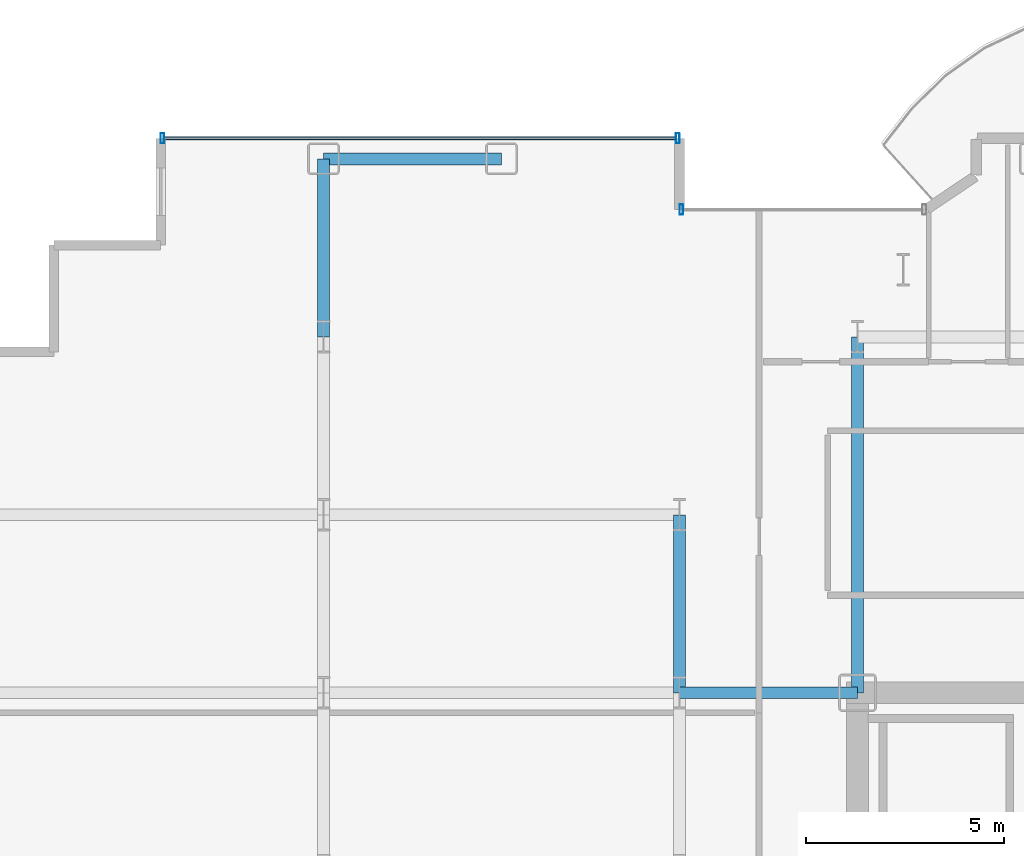
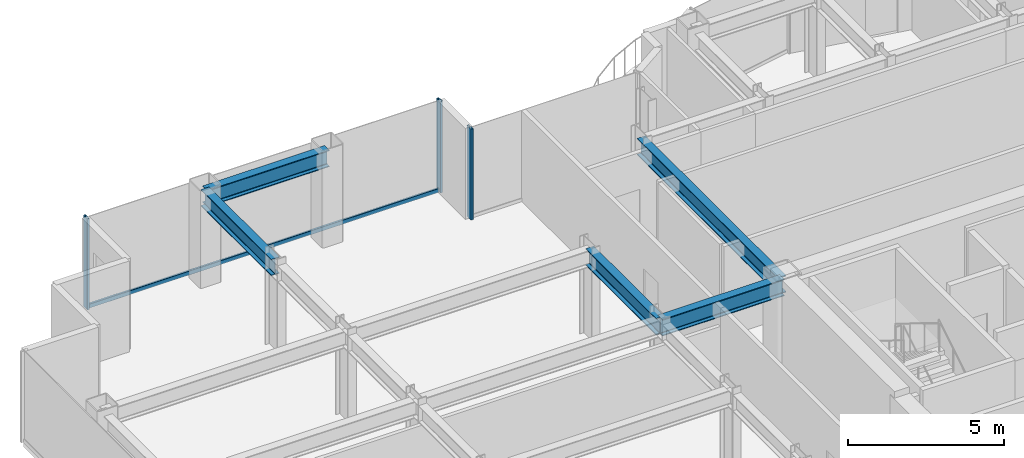
# One storey, part 13 of 26: 5 beams, 4 members, 2 elements without a shape of their own.
"""IFC4 building model written with IfcOpenShell, lengths in metres."""

from ifc_helpers import new_model, si_unit, direction, frame, origin, origin_2d, place, context, subcontext, project, spatial, hollow_rectangle, i_section, extrude, source, transform, mapped, material, layer, layer_set, material_profile, profile_set, type_object, element, aggregate, save


model = new_model("IFC4")

# Units and contexts
model_context = context("Model", 3, precision=1e-05, world=origin(), true_north=direction((0.0, 1.0)))
body_context = subcontext(model_context, "Body", "Model", "MODEL_VIEW")
ifc_project = project(units=[si_unit("LENGTHUNIT", "METRE"), si_unit("AREAUNIT", "SQUARE_METRE"), si_unit("VOLUMEUNIT", "CUBIC_METRE"), si_unit("PLANEANGLEUNIT", "RADIAN"), si_unit("MASSUNIT", "GRAM", prefix="KILO")], contexts=[model_context])

# Site, building, storey
site_placement = place(None, origin())
site = spatial("IfcSite", under=ifc_project, at=site_placement, CompositionType="ELEMENT")
building_placement = place(site_placement, origin())
building = spatial("IfcBuilding", under=site, at=building_placement, Name="Nefas-Gora Pilgrimage Tower", CompositionType="ELEMENT")
storey_placement = place(building_placement, frame((0.0, 0.0, 171.60009765625)))
storey = spatial("IfcBuildingStorey", under=building, at=storey_placement, Name="L42", CompositionType="ELEMENT", Elevation=171.60009765625)

# Beams
ifc_material_1 = material(Name="Steel S355", Category="steel")
ifc_material_profile_1 = material_profile(ifc_material_1, i_section(OverallWidth=0.300048828125, OverallDepth=0.64990234375, WebThickness=0.01611328125, FlangeThickness=0.031005859375, FilletRadius=0.027099609375, at=origin_2d()), Name="HEB 650")
ifc_profile_set_1 = profile_set([ifc_material_profile_1], Name="Steel S355")
beam_type_1 = type_object("IfcBeamType", Name="BM-SPN-HEB500", PredefinedType="SPANDREL", material=ifc_profile_set_1)
shared_shape_1 = source(origin(), body_context, "Body", "SweptSolid", [
    extrude(i_section(OverallWidth=0.300048828125, OverallDepth=0.64990234375, WebThickness=0.01611328125, FlangeThickness=0.031005859375, FilletRadius=0.027099609375, at=origin_2d()), origin(), (0.0, 0.0, 1.0), 4.5),
])
beam_1_placement = place(storey_placement, frame((-24.75, 22.5, 3.224853515625), z_axis=(1.0, 0.0, 0.0), x_axis=(0.0, 1.0, 0.0)))
element("IfcBeam", 1, at=beam_1_placement, inside=storey, type_object=beam_type_1, Name="L42 SP-02 beam", PredefinedType="SPANDREL", context=body_context, shape_type="MappedRepresentation", body=[
    mapped(shared_shape_1, transform((0.0, 0.0, 0.0), x_axis=(1.0, 0.0, 0.0), y_axis=(0.0, 1.0, 0.0), z_axis=(0.0, 0.0, 1.0), scale=1.0)),
])
ifc_material_profile_2 = material_profile(ifc_material_1, i_section(OverallWidth=0.300048828125, OverallDepth=0.64990234375, WebThickness=0.01611328125, FlangeThickness=0.031005859375, FilletRadius=0.027099609375, at=origin_2d()), Name="HEB 650")
ifc_profile_set_2 = profile_set([ifc_material_profile_2], Name="Steel S355")
beam_type_2 = type_object("IfcBeamType", Name="BM-GIR-HEB650", PredefinedType="BEAM", material=ifc_profile_set_2)
shared_shape_2 = source(origin(), body_context, "Body", "SweptSolid", [
    extrude(i_section(OverallWidth=0.300048828125, OverallDepth=0.64990234375, WebThickness=0.01611328125, FlangeThickness=0.031005859375, FilletRadius=0.027099609375, at=origin_2d()), origin(), (0.0, 0.0, 1.0), 9.0),
])
beam_2_placement = place(storey_placement, frame((-11.25, 9.0, 3.224853515625), z_axis=(0.0, 1.0, 0.0), x_axis=(-1.0, 0.0, 0.0)))
element("IfcBeam", 2, at=beam_2_placement, inside=storey, type_object=beam_type_2, Name="L42 G-03 beam", PredefinedType="BEAM", context=body_context, shape_type="MappedRepresentation", body=[
    mapped(shared_shape_2, transform((0.0, 0.0, 0.0), x_axis=(1.0, 0.0, 0.0), y_axis=(0.0, 1.0, 0.0), z_axis=(0.0, 0.0, 1.0), scale=1.0)),
])
shared_shape_3 = source(origin(), body_context, "Body", "SweptSolid", [
    extrude(i_section(OverallWidth=0.300048828125, OverallDepth=0.64990234375, WebThickness=0.01611328125, FlangeThickness=0.031005859375, FilletRadius=0.027099609375, at=origin_2d()), origin(), (0.0, 0.0, 1.0), 4.5),
])
for number, where, z_axis, x_axis, name in (
    (3, (-24.75, 18.0, 3.224853515625), (0.0, 1.0, 0.0), (-1.0, 0.0, 0.0), "L42 G-03 beam"),
    (4, (-15.75, 9.0, 3.224853515625), (0.0, 1.0, 0.0), (-1.0, 0.0, 0.0), "L42 G-03 beam"),
    (5, (-15.75, 9.0, 3.224853515625), (1.0, 0.0, 0.0), (0.0, 1.0, 0.0), "L42 G-03 beam"),
):
    element("IfcBeam", number, at=place(storey_placement, frame(where, z_axis=z_axis, x_axis=x_axis)), inside=storey, type_object=beam_type_2, Name=name, PredefinedType="BEAM", context=body_context, shape_type="MappedRepresentation", body=[
        mapped(shared_shape_3, transform((0.0, 0.0, 0.0), x_axis=(1.0, 0.0, 0.0), y_axis=(0.0, 1.0, 0.0), z_axis=(0.0, 0.0, 1.0), scale=1.0)),
    ])

# Curtain wall, member
ifc_material_2 = material(Name="Dark ceramic-fritted solar-control aluminium-glass curtain wall", Category="aluminium")
ifc_layer_1 = layer(ifc_material_2, 0.219970703125)
ifc_layer_set_1 = layer_set([ifc_layer_1], Name="Dark ceramic-fritted solar-control aluminium-glass curtain wall")
curtain_wall_type_1 = type_object("IfcCurtainWallType", Name="CW-SYS-5", PredefinedType="NOTDEFINED", material=ifc_layer_set_1)
curtain_wall_1_placement = place(storey_placement, origin())
curtain_wall_1 = element("IfcCurtainWall", 6, at=curtain_wall_1_placement, inside=storey, type_object=curtain_wall_type_1, Name="L42 Unitised Curtain Wall CW5", PredefinedType="NOTDEFINED")
ifc_material_3 = material(Name="Anodised architectural aluminium", Category="aluminium")
ifc_material_profile_3 = material_profile(ifc_material_3, hollow_rectangle(XDim=0.090087890625, YDim=0.260009765625, WallThickness=0.006103515625, InnerFilletRadius=0.006103515625, OuterFilletRadius=0.011962890625, at=origin_2d()), Name="ALU MULLION 90x260")
ifc_profile_set_3 = profile_set([ifc_material_profile_3], Name="Anodised architectural aluminium")
member_type_1 = type_object("IfcMemberType", Name="CWM-MUL-5", PredefinedType="MULLION", material=ifc_profile_set_3)
shared_shape_4 = source(origin(), body_context, "Body", "SweptSolid", [
    extrude(hollow_rectangle(XDim=0.090087890625, YDim=0.260009765625, WallThickness=0.006103515625, InnerFilletRadius=0.006103515625, OuterFilletRadius=0.011962890625, at=origin_2d()), origin(), (0.0, 0.0, 1.0), 3.5498046875),
])
member_1_placement = place(storey_placement, frame((-15.705078125, 21.219970703125, 0.0), z_axis=(0.0, 0.0, 1.0), x_axis=(-1.0, 0.0, 0.0)))
member_1 = element("IfcMember", 7, at=member_1_placement, type_object=member_type_1, Name="CW5 Mullion 2", PredefinedType="MULLION", context=body_context, shape_type="MappedRepresentation", body=[
    mapped(shared_shape_4, transform((0.0, 0.0, 0.0), x_axis=(1.0, 0.0, 0.0), y_axis=(0.0, 1.0, 0.0), z_axis=(0.0, 0.0, 1.0), scale=1.0)),
])
aggregate(curtain_wall_1, [member_1])

# Curtain wall, members
ifc_layer_2 = layer(ifc_material_2, 0.219970703125)
ifc_layer_set_2 = layer_set([ifc_layer_2], Name="Dark ceramic-fritted solar-control aluminium-glass curtain wall")
curtain_wall_type_2 = type_object("IfcCurtainWallType", Name="CW-SYS-3", PredefinedType="NOTDEFINED", material=ifc_layer_set_2)
curtain_wall_2_placement = place(storey_placement, origin())
curtain_wall_2 = element("IfcCurtainWall", 8, at=curtain_wall_2_placement, inside=storey, type_object=curtain_wall_type_2, Name="L42 Unitised Curtain Wall CW3", PredefinedType="NOTDEFINED")
ifc_material_profile_4 = material_profile(ifc_material_3, hollow_rectangle(XDim=0.080078125, YDim=0.159912109375, WallThickness=0.00439453125, InnerFilletRadius=0.00439453125, OuterFilletRadius=0.009033203125, at=origin_2d()), Name="ALU TRANSOM 80x160")
ifc_profile_set_4 = profile_set([ifc_material_profile_4], Name="Anodised architectural aluminium")
member_type_2 = type_object("IfcMemberType", Name="CWM-TRN-3", PredefinedType="USERDEFINED", material=ifc_profile_set_4)
shared_shape_5 = source(origin(), body_context, "Body", "SweptSolid", [
    extrude(hollow_rectangle(XDim=0.080078125, YDim=0.159912109375, WallThickness=0.00439453125, InnerFilletRadius=0.00439453125, OuterFilletRadius=0.009033203125, at=origin_2d()), origin(), (0.0, 0.0, 1.0), 12.93994140625),
])
member_2_placement = place(storey_placement, frame((-15.840087890625, 23.02001953125, 0.0498046875), z_axis=(-1.0, 0.0, 0.0), x_axis=(0.0, -1.0, 0.0)))
member_2 = element("IfcMember", 9, at=member_2_placement, type_object=member_type_2, Name="CW3 Spandrel Transom", ObjectType="TRANSOM", PredefinedType="USERDEFINED", context=body_context, shape_type="MappedRepresentation", body=[
    mapped(shared_shape_5, transform((0.0, 0.0, 0.0), x_axis=(1.0, 0.0, 0.0), y_axis=(0.0, 1.0, 0.0), z_axis=(0.0, 0.0, 1.0), scale=1.0)),
])
ifc_material_profile_5 = material_profile(ifc_material_3, hollow_rectangle(XDim=0.090087890625, YDim=0.260009765625, WallThickness=0.006103515625, InnerFilletRadius=0.006103515625, OuterFilletRadius=0.011962890625, at=origin_2d()), Name="ALU MULLION 90x260")
ifc_profile_set_5 = profile_set([ifc_material_profile_5], Name="Anodised architectural aluminium")
member_type_3 = type_object("IfcMemberType", Name="CWM-MUL-3", PredefinedType="MULLION", material=ifc_profile_set_5)
shared_shape_6 = source(origin(), body_context, "Body", "SweptSolid", [
    extrude(hollow_rectangle(XDim=0.090087890625, YDim=0.260009765625, WallThickness=0.006103515625, InnerFilletRadius=0.006103515625, OuterFilletRadius=0.011962890625, at=origin_2d()), origin(), (0.0, 0.0, 1.0), 3.5498046875),
])
member_3_placement = place(storey_placement, frame((-15.794921875, 23.02001953125, 0.0), z_axis=(0.0, 0.0, 1.0), x_axis=(-1.0, 0.0, 0.0)))
member_3 = element("IfcMember", 10, at=member_3_placement, type_object=member_type_3, Name="CW3 Mullion 1", PredefinedType="MULLION", context=body_context, shape_type="MappedRepresentation", body=[
    mapped(shared_shape_6, transform((0.0, 0.0, 0.0), x_axis=(1.0, 0.0, 0.0), y_axis=(0.0, 1.0, 0.0), z_axis=(0.0, 0.0, 1.0), scale=1.0)),
])
member_4_placement = place(storey_placement, frame((-28.824951171875, 23.02001953125, 0.0), z_axis=(0.0, 0.0, 1.0), x_axis=(-1.0, 0.0, 0.0)))
member_4 = element("IfcMember", 11, at=member_4_placement, type_object=member_type_3, Name="CW3 Mullion 2", PredefinedType="MULLION", context=body_context, shape_type="MappedRepresentation", body=[
    mapped(shared_shape_6, transform((0.0, 0.0, 0.0), x_axis=(1.0, 0.0, 0.0), y_axis=(0.0, 1.0, 0.0), z_axis=(0.0, 0.0, 1.0), scale=1.0)),
])
aggregate(curtain_wall_2, [member_3, member_4, member_2])

save(model, "model.ifc")
